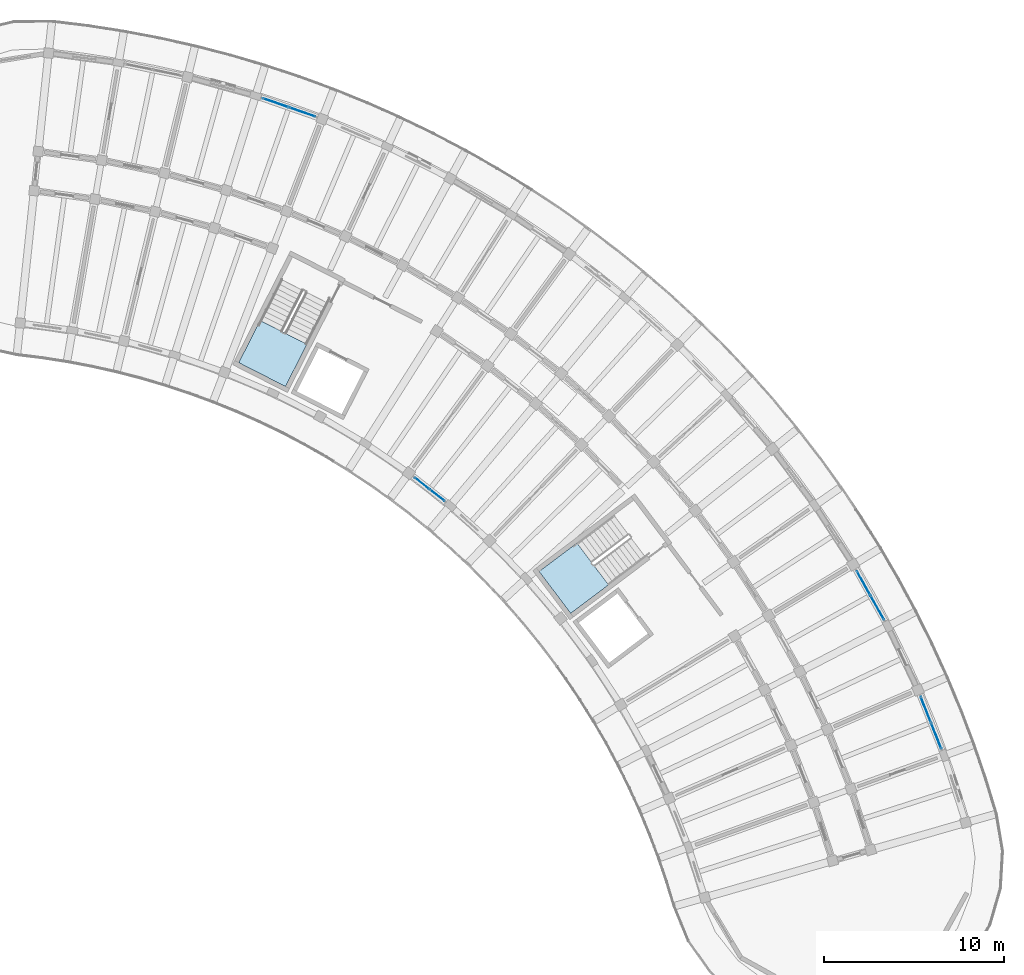
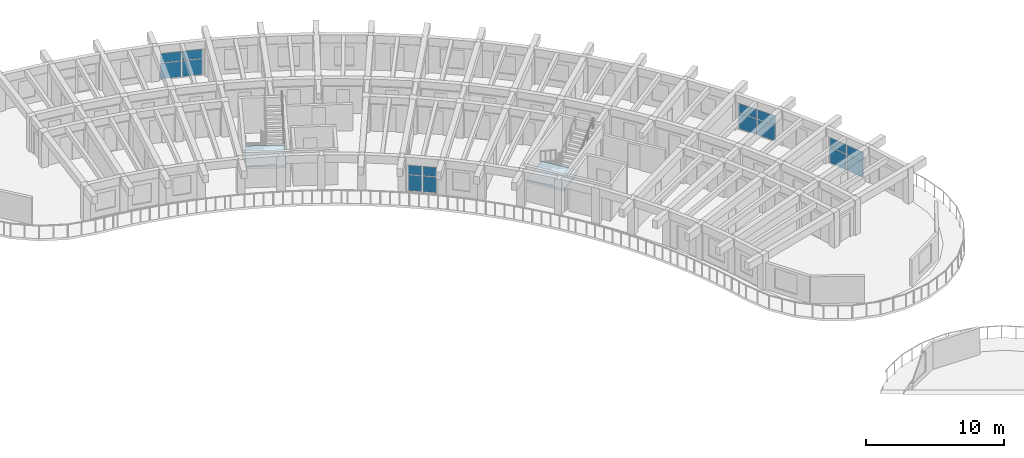
# One storey, part 53 of 96: 16 plates, 2 slabs, 6 elements without a shape of their own.
"""IFC4 building model written with IfcOpenShell, lengths in metres."""

from ifc_helpers import new_model, si_unit, direction, frame, origin, origin_2d, place, context, subcontext, project, spatial, polyline, rectangle, outline, extrude, material, layer, layer_set, type_object, element, aggregate, save


model = new_model("IFC4")

# Units and contexts
model_context = context("Model", 3, precision=1e-05, world=origin(), true_north=direction((0.0, 1.0)))
body_context = subcontext(model_context, "Body", "Model", "MODEL_VIEW")
ifc_project = project(units=[si_unit("LENGTHUNIT", "METRE"), si_unit("AREAUNIT", "SQUARE_METRE"), si_unit("VOLUMEUNIT", "CUBIC_METRE"), si_unit("PLANEANGLEUNIT", "RADIAN"), si_unit("MASSUNIT", "GRAM", prefix="KILO")], contexts=[model_context])

# Site, building, storey
site_placement = place(None, origin())
site = spatial("IfcSite", under=ifc_project, at=site_placement, CompositionType="ELEMENT")
building_placement = place(site_placement, origin())
building = spatial("IfcBuilding", under=site, at=building_placement, Name="Tanwirah Colonnade Gardens", CompositionType="ELEMENT")
storey_placement = place(building_placement, frame((0.0, 0.0, 12.199951171875)))
storey = spatial("IfcBuildingStorey", under=building, at=storey_placement, Name="L03", CompositionType="ELEMENT", Elevation=12.199951171875)

# Curtain wall, plates
ifc_material_1 = material(Name="Bronze-anodised aluminium and solar-control low-E glass", Category="aluminium")
curtain_wall_type_1 = type_object("IfcCurtainWallType", Name="CW-LOB", PredefinedType="NOTDEFINED", material=ifc_material_1)
curtain_wall_1_placement = place(storey_placement, origin())
curtain_wall_1 = element("IfcCurtainWall", 1, at=curtain_wall_1_placement, inside=storey, type_object=curtain_wall_type_1, Name="Curtain Wall CW-B-L03-OUT-01", PredefinedType="NOTDEFINED")
ifc_material_2 = material(Name="Insulated bronze aluminium spandrel panel", Category="aluminium")
ifc_layer_1 = layer(ifc_material_2, 0.035888671875)
ifc_layer_set_1 = layer_set([ifc_layer_1], Name="Insulated bronze aluminium spandrel panel")
plate_type = type_object("IfcPlateType", Name="CWP-SPN36", PredefinedType="CURTAIN_PANEL", material=ifc_layer_set_1)
plate_1_placement = place(storey_placement, frame((176.6025390625, 81.444580078125, 0.06494140625), z_axis=(0.0, 0.0, 1.0), x_axis=(-0.369206031847, 0.929347570099, 0.0)))
plate_1 = element("IfcPlate", 2, at=plate_1_placement, type_object=plate_type, Name="CW-LOB panel 1.1", PredefinedType="CURTAIN_PANEL", context=body_context, shape_type="SweptSolid", body=[
    extrude(rectangle(XDim=1.50537109375, YDim=0.035888671875, at=origin_2d()), origin(), (0.0, 0.0, 1.0), 1.362548828125),
])
plate_2_placement = place(storey_placement, frame((176.6025390625, 81.444580078125, 1.49267578125), z_axis=(0.0, 0.0, 1.0), x_axis=(-0.369206031847, 0.929347570099, 0.0)))
plate_2 = element("IfcPlate", 3, at=plate_2_placement, type_object=plate_type, Name="CW-LOB panel 1.2", PredefinedType="CURTAIN_PANEL", context=body_context, shape_type="SweptSolid", body=[
    extrude(rectangle(XDim=1.50537109375, YDim=0.035888671875, at=origin_2d()), origin(), (0.0, 0.0, 1.0), 0.79736328125),
])
plate_3_placement = place(storey_placement, frame((176.022705078125, 82.904052734375, 0.06494140625), z_axis=(0.0, 0.0, 1.0), x_axis=(-0.369206031847, 0.929347570099, 0.0)))
plate_3 = element("IfcPlate", 4, at=plate_3_placement, type_object=plate_type, Name="CW-LOB panel 2.1", PredefinedType="CURTAIN_PANEL", context=body_context, shape_type="SweptSolid", body=[
    extrude(rectangle(XDim=1.50537109375, YDim=0.035888671875, at=origin_2d()), origin(), (0.0, 0.0, 1.0), 1.362548828125),
])
plate_4_placement = place(storey_placement, frame((176.022705078125, 82.904052734375, 1.49267578125), z_axis=(0.0, 0.0, 1.0), x_axis=(-0.369206031847, 0.929347570099, 0.0)))
plate_4 = element("IfcPlate", 5, at=plate_4_placement, type_object=plate_type, Name="CW-LOB panel 2.2", PredefinedType="CURTAIN_PANEL", context=body_context, shape_type="SweptSolid", body=[
    extrude(rectangle(XDim=1.50537109375, YDim=0.035888671875, at=origin_2d()), origin(), (0.0, 0.0, 1.0), 0.79736328125),
])
aggregate(curtain_wall_1, [plate_1, plate_2, plate_3, plate_4])

curtain_wall_2_placement = place(storey_placement, origin())
curtain_wall_2 = element("IfcCurtainWall", 6, at=curtain_wall_2_placement, inside=storey, type_object=curtain_wall_type_1, Name="Curtain Wall CW-B-L03-OUT-03", PredefinedType="NOTDEFINED")
plate_5_placement = place(storey_placement, frame((173.326416015625, 88.571044921875, 0.06494140625), z_axis=(0.0, 0.0, 1.0), x_axis=(-0.488200181987, 0.8727316783, 0.0)))
plate_5 = element("IfcPlate", 7, at=plate_5_placement, type_object=plate_type, Name="CW-LOB panel 1.1", PredefinedType="CURTAIN_PANEL", context=body_context, shape_type="SweptSolid", body=[
    extrude(rectangle(XDim=1.50537109375, YDim=0.035888671875, at=origin_2d()), origin(), (0.0, 0.0, 1.0), 1.362548828125),
])
plate_6_placement = place(storey_placement, frame((173.326416015625, 88.571044921875, 1.49267578125), z_axis=(0.0, 0.0, 1.0), x_axis=(-0.488200181987, 0.8727316783, 0.0)))
plate_6 = element("IfcPlate", 8, at=plate_6_placement, type_object=plate_type, Name="CW-LOB panel 1.2", PredefinedType="CURTAIN_PANEL", context=body_context, shape_type="SweptSolid", body=[
    extrude(rectangle(XDim=1.50537109375, YDim=0.035888671875, at=origin_2d()), origin(), (0.0, 0.0, 1.0), 0.79736328125),
])
plate_7_placement = place(storey_placement, frame((172.5595703125, 89.941650390625, 0.06494140625), z_axis=(0.0, 0.0, 1.0), x_axis=(-0.488200181987, 0.8727316783, 0.0)))
plate_7 = element("IfcPlate", 9, at=plate_7_placement, type_object=plate_type, Name="CW-LOB panel 2.1", PredefinedType="CURTAIN_PANEL", context=body_context, shape_type="SweptSolid", body=[
    extrude(rectangle(XDim=1.50537109375, YDim=0.035888671875, at=origin_2d()), origin(), (0.0, 0.0, 1.0), 1.362548828125),
])
plate_8_placement = place(storey_placement, frame((172.5595703125, 89.941650390625, 1.49267578125), z_axis=(0.0, 0.0, 1.0), x_axis=(-0.488200181987, 0.8727316783, 0.0)))
plate_8 = element("IfcPlate", 10, at=plate_8_placement, type_object=plate_type, Name="CW-LOB panel 2.2", PredefinedType="CURTAIN_PANEL", context=body_context, shape_type="SweptSolid", body=[
    extrude(rectangle(XDim=1.50537109375, YDim=0.035888671875, at=origin_2d()), origin(), (0.0, 0.0, 1.0), 0.79736328125),
])
aggregate(curtain_wall_2, [plate_5, plate_6, plate_7, plate_8])

curtain_wall_type_2 = type_object("IfcCurtainWallType", Name="CW-GDN", PredefinedType="NOTDEFINED", material=ifc_material_1)
curtain_wall_3_placement = place(storey_placement, origin())
curtain_wall_3 = element("IfcCurtainWall", 11, at=curtain_wall_3_placement, inside=storey, type_object=curtain_wall_type_2, Name="Curtain Wall CW-B-L03-IN-09", PredefinedType="NOTDEFINED")
plate_9_placement = place(storey_placement, frame((148.841064453125, 94.823974609375, 0.06494140625), z_axis=(0.0, 0.0, 1.0), x_axis=(-0.786815291166, 0.617188542982, 0.0)))
plate_9 = element("IfcPlate", 12, at=plate_9_placement, type_object=plate_type, Name="CW-GDN panel 1.1", PredefinedType="CURTAIN_PANEL", context=body_context, shape_type="SweptSolid", body=[
    extrude(rectangle(XDim=1.007568359375, YDim=0.035888671875, at=origin_2d()), origin(), (0.0, 0.0, 1.0), 1.362548828125),
])
plate_10_placement = place(storey_placement, frame((148.841064453125, 94.823974609375, 1.49267578125), z_axis=(0.0, 0.0, 1.0), x_axis=(-0.786815291166, 0.617188542982, 0.0)))
plate_10 = element("IfcPlate", 13, at=plate_10_placement, type_object=plate_type, Name="CW-GDN panel 1.2", PredefinedType="CURTAIN_PANEL", context=body_context, shape_type="SweptSolid", body=[
    extrude(rectangle(XDim=1.007568359375, YDim=0.035888671875, at=origin_2d()), origin(), (0.0, 0.0, 1.0), 0.79736328125),
])
plate_11_placement = place(storey_placement, frame((147.9970703125, 95.48583984375, 0.06494140625), z_axis=(0.0, 0.0, 1.0), x_axis=(-0.786815291166, 0.617188542982, 0.0)))
plate_11 = element("IfcPlate", 14, at=plate_11_placement, type_object=plate_type, Name="CW-GDN panel 2.1", PredefinedType="CURTAIN_PANEL", context=body_context, shape_type="SweptSolid", body=[
    extrude(rectangle(XDim=1.007568359375, YDim=0.035888671875, at=origin_2d()), origin(), (0.0, 0.0, 1.0), 1.362548828125),
])
plate_12_placement = place(storey_placement, frame((147.9970703125, 95.48583984375, 1.49267578125), z_axis=(0.0, 0.0, 1.0), x_axis=(-0.786815291166, 0.617188542982, 0.0)))
plate_12 = element("IfcPlate", 15, at=plate_12_placement, type_object=plate_type, Name="CW-GDN panel 2.2", PredefinedType="CURTAIN_PANEL", context=body_context, shape_type="SweptSolid", body=[
    extrude(rectangle(XDim=1.007568359375, YDim=0.035888671875, at=origin_2d()), origin(), (0.0, 0.0, 1.0), 0.79736328125),
])
aggregate(curtain_wall_3, [plate_9, plate_10, plate_11, plate_12])

curtain_wall_4_placement = place(storey_placement, origin())
curtain_wall_4 = element("IfcCurtainWall", 16, at=curtain_wall_4_placement, inside=storey, type_object=curtain_wall_type_1, Name="Curtain Wall CW-B-L03-OUT-14", PredefinedType="NOTDEFINED")
plate_13_placement = place(storey_placement, frame((141.336669921875, 116.140869140625, 0.06494140625), z_axis=(0.0, 0.0, 1.0), x_axis=(-0.944248993208, 0.329232195914, 0.0)))
plate_13 = element("IfcPlate", 17, at=plate_13_placement, type_object=plate_type, Name="CW-LOB panel 1.1", PredefinedType="CURTAIN_PANEL", context=body_context, shape_type="SweptSolid", body=[
    extrude(rectangle(XDim=1.50537109375, YDim=0.035888671875, at=origin_2d()), origin(), (0.0, 0.0, 1.0), 1.362548828125),
])
plate_14_placement = place(storey_placement, frame((141.336669921875, 116.140869140625, 1.49267578125), z_axis=(0.0, 0.0, 1.0), x_axis=(-0.944248993208, 0.329232195914, 0.0)))
plate_14 = element("IfcPlate", 18, at=plate_14_placement, type_object=plate_type, Name="CW-LOB panel 1.2", PredefinedType="CURTAIN_PANEL", context=body_context, shape_type="SweptSolid", body=[
    extrude(rectangle(XDim=1.50537109375, YDim=0.035888671875, at=origin_2d()), origin(), (0.0, 0.0, 1.0), 0.79736328125),
])
plate_15_placement = place(storey_placement, frame((139.853759765625, 116.657958984375, 0.06494140625), z_axis=(0.0, 0.0, 1.0), x_axis=(-0.944248993208, 0.329232195914, 0.0)))
plate_15 = element("IfcPlate", 19, at=plate_15_placement, type_object=plate_type, Name="CW-LOB panel 2.1", PredefinedType="CURTAIN_PANEL", context=body_context, shape_type="SweptSolid", body=[
    extrude(rectangle(XDim=1.50537109375, YDim=0.035888671875, at=origin_2d()), origin(), (0.0, 0.0, 1.0), 1.362548828125),
])
plate_16_placement = place(storey_placement, frame((139.853759765625, 116.657958984375, 1.49267578125), z_axis=(0.0, 0.0, 1.0), x_axis=(-0.944248993208, 0.329232195914, 0.0)))
plate_16 = element("IfcPlate", 20, at=plate_16_placement, type_object=plate_type, Name="CW-LOB panel 2.2", PredefinedType="CURTAIN_PANEL", context=body_context, shape_type="SweptSolid", body=[
    extrude(rectangle(XDim=1.50537109375, YDim=0.035888671875, at=origin_2d()), origin(), (0.0, 0.0, 1.0), 0.79736328125),
])
aggregate(curtain_wall_4, [plate_13, plate_14, plate_15, plate_16])

# Stair, slab
ifc_material_3 = material(Name="Precast concrete C40/50", Category="concrete")
stair_type = type_object("IfcStairType", Name="ST-RES168", PredefinedType="HALF_TURN_STAIR", material=ifc_material_3)
stair_1_placement = place(storey_placement, origin())
stair_1 = element("IfcStair", 21, at=stair_1_placement, inside=storey, type_object=stair_type, Name="L03 Block B Core 1 Exit Stair", PredefinedType="HALF_TURN_STAIR")
ifc_layer_2 = layer(ifc_material_3, 0.205078125)
ifc_layer_set_2 = layer_set([ifc_layer_2], Name="Precast concrete C40/50")
slab_type = type_object("IfcSlabType", Name="SL-LND-205", PredefinedType="LANDING", material=ifc_layer_set_2)
slab_1_placement = place(storey_placement, frame((0.0, 0.0, 1.47509765625)))
slab_1 = element("IfcSlab", 22, at=slab_1_placement, type_object=slab_type, Name="ST-B1 landing 1", PredefinedType="LANDING", context=body_context, shape_type="SweptSolid", body=[
    extrude(outline(polyline([(156.615478515625, 92.171875), (154.510986328125, 90.586181640625), (156.268310546875, 88.254150390625), (158.372802734375, 89.83984375), (156.615478515625, 92.171875)])), origin(), (0.0, 0.0, 1.0), 0.204833984375),
])
aggregate(stair_1, [slab_1])

stair_2_placement = place(storey_placement, origin())
stair_2 = element("IfcStair", 23, at=stair_2_placement, inside=storey, type_object=stair_type, Name="L03 Block B Core 2 Exit Stair", PredefinedType="HALF_TURN_STAIR")
slab_2_placement = place(storey_placement, frame((0.0, 0.0, 1.47509765625)))
slab_2 = element("IfcSlab", 24, at=slab_2_placement, type_object=slab_type, Name="ST-B2 landing 1", PredefinedType="LANDING", context=body_context, shape_type="SweptSolid", body=[
    extrude(outline(polyline([(138.995361328125, 104.549072265625), (137.799072265625, 102.201171875), (140.40087890625, 100.87548828125), (141.59716796875, 103.223388671875), (138.995361328125, 104.549072265625)])), origin(), (0.0, 0.0, 1.0), 0.204833984375),
])
aggregate(stair_2, [slab_2])

save(model, "model.ifc")
